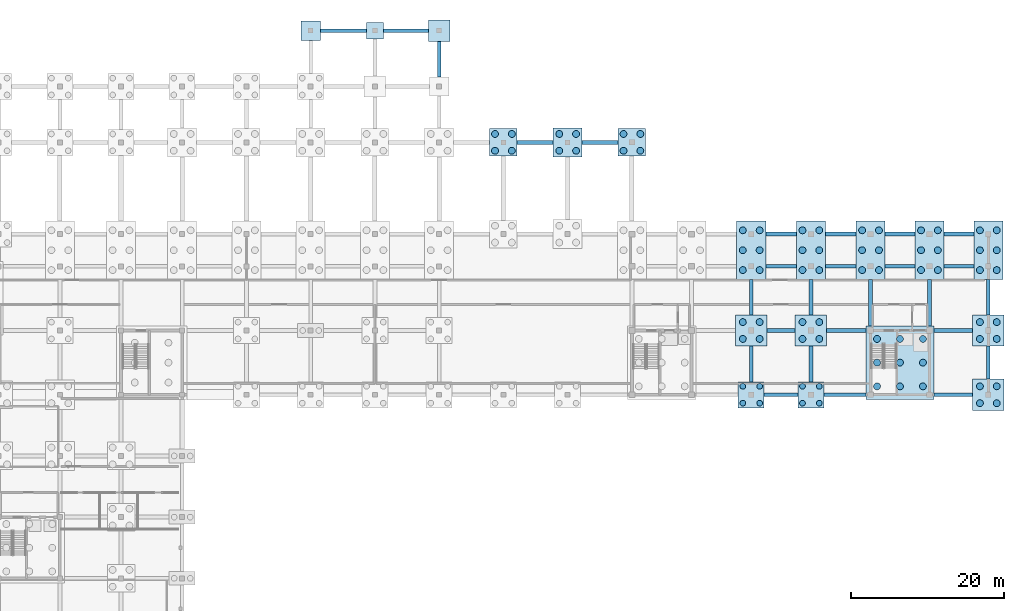
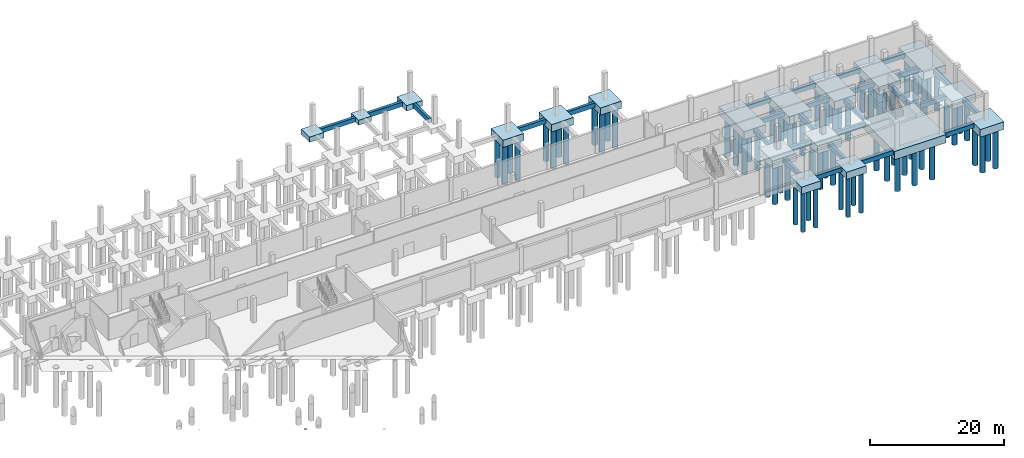
# One storey, part 8 of 22: 75 piles, 45 footings.
"""IFC4 building model written with IfcOpenShell, lengths in metres."""

from ifc_helpers import new_model, si_unit, direction, frame, origin, origin_2d, place, context, subcontext, project, spatial, polyline, rectangle, circle, outline, extrude, material, material_profile, profile_set, type_object, element, save


model = new_model("IFC4")

# Units and contexts
model_context = context("Model", 3, precision=1e-05, world=origin(), true_north=direction((0.0, 1.0)))
body_context = subcontext(model_context, "Body", "Model", "MODEL_VIEW")
ifc_project = project(units=[si_unit("LENGTHUNIT", "METRE"), si_unit("AREAUNIT", "SQUARE_METRE"), si_unit("VOLUMEUNIT", "CUBIC_METRE"), si_unit("PLANEANGLEUNIT", "RADIAN"), si_unit("MASSUNIT", "GRAM", prefix="KILO")], contexts=[model_context])

# Site, building, storey
site_placement = place(None, origin())
site = spatial("IfcSite", under=ifc_project, at=site_placement, CompositionType="ELEMENT")
building_placement = place(site_placement, origin())
building = spatial("IfcBuilding", under=site, at=building_placement, Name="Vharandega Faculty of Natural Sciences", CompositionType="ELEMENT")
storey_placement = place(building_placement, frame((0.0, 0.0, -4.5)))
storey = spatial("IfcBuildingStorey", under=building, at=storey_placement, Name="B01", CompositionType="ELEMENT", Elevation=-4.5)

# Piles
ifc_material_1 = material(Name="Concrete C35/45", Category="concrete")
ifc_material_profile_1 = material_profile(ifc_material_1, circle(Radius=0.375, at=origin_2d()), Name="PILE 750")
ifc_profile_set_1 = profile_set([ifc_material_profile_1], Name="Concrete C35/45")
pile_type_1 = type_object("IfcPileType", Name="Bored Pile 750", PredefinedType="BORED", material=ifc_profile_set_1)
for number, where, z_axis, x_axis, name in (
    (1, (129.300048828125, 62.89990234375, -1.64990234375), (0.0, 0.0, -1.0), (1.0, 0.0, 0.0), "Bored Pile PL-17J-01"),
    (2, (131.5, 62.89990234375, -1.64990234375), (0.0, 0.0, -1.0), (1.0, 0.0, 0.0), "Bored Pile PL-17J-02"),
    (3, (131.5, 65.10009765625, -1.64990234375), (0.0, 0.0, -1.0), (1.0, 0.0, 0.0), "Bored Pile PL-17J-03"),
    (4, (129.300048828125, 65.10009765625, -1.64990234375), (0.0, 0.0, -1.0), (1.0, 0.0, 0.0), "Bored Pile PL-17J-04"),
    (5, (137.10009765625, 62.89990234375, -1.64990234375), (0.0, 0.0, -1.0), (1.0, 0.0, 0.0), "Bored Pile PL-18J-01"),
    (6, (139.300048828125, 62.89990234375, -1.64990234375), (0.0, 0.0, -1.0), (1.0, 0.0, 0.0), "Bored Pile PL-18J-02"),
    (7, (139.300048828125, 65.10009765625, -1.64990234375), (0.0, 0.0, -1.0), (1.0, 0.0, 0.0), "Bored Pile PL-18J-03"),
    (8, (137.10009765625, 65.10009765625, -1.64990234375), (0.0, 0.0, -1.0), (1.0, 0.0, 0.0), "Bored Pile PL-18J-04"),
):
    element("IfcPile", number, at=place(storey_placement, frame(where, z_axis=z_axis, x_axis=x_axis)), inside=storey, type_object=pile_type_1, Name=name, PredefinedType="BORED", context=body_context, shape_type="SweptSolid", body=[
        extrude(circle(Radius=0.375, at=origin_2d()), origin(), (0.0, 0.0, 1.0), 7.35009765625),
    ])
ifc_material_2 = material(Name="Concrete C35/45", Category="concrete")
ifc_material_profile_2 = material_profile(ifc_material_2, circle(Radius=0.449951171875, at=origin_2d()), Name="PILE 900")
ifc_profile_set_2 = profile_set([ifc_material_profile_2], Name="Concrete C35/45")
pile_type_2 = type_object("IfcPileType", Name="Bored Pile 900", PredefinedType="BORED", material=ifc_profile_set_2)
for number, where, z_axis, x_axis, name in (
    (9, (146.85009765625, 65.10009765625, -1.85009765625), (0.0, 0.0, -1.0), (1.0, 0.0, 0.0), "Bored Pile PL-C2-01"),
    (10, (146.85009765625, 68.199951171875, -1.85009765625), (0.0, 0.0, -1.0), (1.0, 0.0, 0.0), "Bored Pile PL-C2-02"),
    (11, (146.85009765625, 71.300048828125, -1.85009765625), (0.0, 0.0, -1.0), (1.0, 0.0, 0.0), "Bored Pile PL-C2-03"),
    (12, (149.85009765625, 65.10009765625, -1.85009765625), (0.0, 0.0, -1.0), (1.0, 0.0, 0.0), "Bored Pile PL-C2-04"),
    (13, (149.85009765625, 68.199951171875, -1.85009765625), (0.0, 0.0, -1.0), (1.0, 0.0, 0.0), "Bored Pile PL-C2-05"),
    (14, (149.85009765625, 71.300048828125, -1.85009765625), (0.0, 0.0, -1.0), (1.0, 0.0, 0.0), "Bored Pile PL-C2-06"),
    (15, (152.85009765625, 65.10009765625, -1.85009765625), (0.0, 0.0, -1.0), (1.0, 0.0, 0.0), "Bored Pile PL-C2-07"),
    (16, (152.85009765625, 68.199951171875, -1.85009765625), (0.0, 0.0, -1.0), (1.0, 0.0, 0.0), "Bored Pile PL-C2-08"),
    (17, (152.85009765625, 71.300048828125, -1.85009765625), (0.0, 0.0, -1.0), (1.0, 0.0, 0.0), "Bored Pile PL-C2-09"),
):
    element("IfcPile", number, at=place(storey_placement, frame(where, z_axis=z_axis, x_axis=x_axis)), inside=storey, type_object=pile_type_2, Name=name, PredefinedType="BORED", context=body_context, shape_type="SweptSolid", body=[
        extrude(circle(Radius=0.449951171875, at=origin_2d()), origin(), (0.0, 0.0, 1.0), 7.14990234375),
    ])
for number, where, z_axis, x_axis, name in (
    (18, (129.300048828125, 80.300048828125, -1.800048828125), (0.0, 0.0, -1.0), (1.0, 0.0, 0.0), "Bored Pile PL-17LM-01"),
    (19, (129.300048828125, 82.89990234375, -1.800048828125), (0.0, 0.0, -1.0), (1.0, 0.0, 0.0), "Bored Pile PL-17LM-02"),
    (20, (129.300048828125, 85.5, -1.800048828125), (0.0, 0.0, -1.0), (1.0, 0.0, 0.0), "Bored Pile PL-17LM-03"),
    (21, (131.5, 80.300048828125, -1.800048828125), (0.0, 0.0, -1.0), (1.0, 0.0, 0.0), "Bored Pile PL-17LM-04"),
    (22, (131.5, 82.89990234375, -1.800048828125), (0.0, 0.0, -1.0), (1.0, 0.0, 0.0), "Bored Pile PL-17LM-05"),
    (23, (131.5, 85.5, -1.800048828125), (0.0, 0.0, -1.0), (1.0, 0.0, 0.0), "Bored Pile PL-17LM-06"),
    (24, (137.10009765625, 80.300048828125, -1.800048828125), (0.0, 0.0, -1.0), (1.0, 0.0, 0.0), "Bored Pile PL-18LM-01"),
    (25, (137.10009765625, 82.89990234375, -1.800048828125), (0.0, 0.0, -1.0), (1.0, 0.0, 0.0), "Bored Pile PL-18LM-02"),
    (26, (137.10009765625, 85.5, -1.800048828125), (0.0, 0.0, -1.0), (1.0, 0.0, 0.0), "Bored Pile PL-18LM-03"),
    (27, (139.300048828125, 80.300048828125, -1.800048828125), (0.0, 0.0, -1.0), (1.0, 0.0, 0.0), "Bored Pile PL-18LM-04"),
    (28, (139.300048828125, 82.89990234375, -1.800048828125), (0.0, 0.0, -1.0), (1.0, 0.0, 0.0), "Bored Pile PL-18LM-05"),
    (29, (139.300048828125, 85.5, -1.800048828125), (0.0, 0.0, -1.0), (1.0, 0.0, 0.0), "Bored Pile PL-18LM-06"),
    (30, (144.89990234375, 80.300048828125, -1.800048828125), (0.0, 0.0, -1.0), (1.0, 0.0, 0.0), "Bored Pile PL-19LM-01"),
    (31, (144.89990234375, 82.89990234375, -1.800048828125), (0.0, 0.0, -1.0), (1.0, 0.0, 0.0), "Bored Pile PL-19LM-02"),
    (32, (144.89990234375, 85.5, -1.800048828125), (0.0, 0.0, -1.0), (1.0, 0.0, 0.0), "Bored Pile PL-19LM-03"),
    (33, (147.10009765625, 80.300048828125, -1.800048828125), (0.0, 0.0, -1.0), (1.0, 0.0, 0.0), "Bored Pile PL-19LM-04"),
    (34, (147.10009765625, 82.89990234375, -1.800048828125), (0.0, 0.0, -1.0), (1.0, 0.0, 0.0), "Bored Pile PL-19LM-05"),
    (35, (147.10009765625, 85.5, -1.800048828125), (0.0, 0.0, -1.0), (1.0, 0.0, 0.0), "Bored Pile PL-19LM-06"),
    (36, (152.60009765625, 80.300048828125, -1.800048828125), (0.0, 0.0, -1.0), (1.0, 0.0, 0.0), "Bored Pile PL-20LM-01"),
    (37, (152.60009765625, 82.89990234375, -1.800048828125), (0.0, 0.0, -1.0), (1.0, 0.0, 0.0), "Bored Pile PL-20LM-02"),
    (38, (152.60009765625, 85.5, -1.800048828125), (0.0, 0.0, -1.0), (1.0, 0.0, 0.0), "Bored Pile PL-20LM-03"),
    (39, (154.800048828125, 80.300048828125, -1.800048828125), (0.0, 0.0, -1.0), (1.0, 0.0, 0.0), "Bored Pile PL-20LM-04"),
    (40, (154.800048828125, 82.89990234375, -1.800048828125), (0.0, 0.0, -1.0), (1.0, 0.0, 0.0), "Bored Pile PL-20LM-05"),
    (41, (154.800048828125, 85.5, -1.800048828125), (0.0, 0.0, -1.0), (1.0, 0.0, 0.0), "Bored Pile PL-20LM-06"),
    (42, (160.300048828125, 80.300048828125, -1.800048828125), (0.0, 0.0, -1.0), (1.0, 0.0, 0.0), "Bored Pile PL-21LM-01"),
    (43, (160.300048828125, 82.89990234375, -1.800048828125), (0.0, 0.0, -1.0), (1.0, 0.0, 0.0), "Bored Pile PL-21LM-02"),
    (44, (160.300048828125, 85.5, -1.800048828125), (0.0, 0.0, -1.0), (1.0, 0.0, 0.0), "Bored Pile PL-21LM-03"),
    (45, (162.5, 80.300048828125, -1.800048828125), (0.0, 0.0, -1.0), (1.0, 0.0, 0.0), "Bored Pile PL-21LM-04"),
    (46, (162.5, 82.89990234375, -1.800048828125), (0.0, 0.0, -1.0), (1.0, 0.0, 0.0), "Bored Pile PL-21LM-05"),
    (47, (162.5, 85.5, -1.800048828125), (0.0, 0.0, -1.0), (1.0, 0.0, 0.0), "Bored Pile PL-21LM-06"),
):
    element("IfcPile", number, at=place(storey_placement, frame(where, z_axis=z_axis, x_axis=x_axis)), inside=storey, type_object=pile_type_2, Name=name, PredefinedType="BORED", context=body_context, shape_type="SweptSolid", body=[
        extrude(circle(Radius=0.449951171875, at=origin_2d()), origin(), (0.0, 0.0, 1.0), 7.199951171875),
    ])
for number, where, z_axis, x_axis, name in (
    (48, (96.89990234375, 95.89990234375, -1.669921875), (0.0, 0.0, -1.0), (1.0, 0.0, 0.0), "Bored Pile PL-13N-01"),
    (49, (99.10009765625, 95.89990234375, -1.669921875), (0.0, 0.0, -1.0), (1.0, 0.0, 0.0), "Bored Pile PL-13N-02"),
    (50, (99.10009765625, 98.10009765625, -1.669921875), (0.0, 0.0, -1.0), (1.0, 0.0, 0.0), "Bored Pile PL-13N-03"),
    (51, (96.89990234375, 98.10009765625, -1.669921875), (0.0, 0.0, -1.0), (1.0, 0.0, 0.0), "Bored Pile PL-13N-04"),
):
    element("IfcPile", number, at=place(storey_placement, frame(where, z_axis=z_axis, x_axis=x_axis)), inside=storey, type_object=pile_type_2, Name=name, PredefinedType="BORED", context=body_context, shape_type="SweptSolid", body=[
        extrude(circle(Radius=0.449951171875, at=origin_2d()), origin(), (0.0, 0.0, 1.0), 7.330078125),
    ])
for number, where, z_axis, x_axis, name in (
    (52, (105.300048828125, 95.89990234375, -1.699951171875), (0.0, 0.0, -1.0), (1.0, 0.0, 0.0), "Bored Pile PL-14N-01"),
    (53, (107.5, 95.89990234375, -1.699951171875), (0.0, 0.0, -1.0), (1.0, 0.0, 0.0), "Bored Pile PL-14N-02"),
    (54, (107.5, 98.10009765625, -1.699951171875), (0.0, 0.0, -1.0), (1.0, 0.0, 0.0), "Bored Pile PL-14N-03"),
    (55, (105.300048828125, 98.10009765625, -1.699951171875), (0.0, 0.0, -1.0), (1.0, 0.0, 0.0), "Bored Pile PL-14N-04"),
):
    element("IfcPile", number, at=place(storey_placement, frame(where, z_axis=z_axis, x_axis=x_axis)), inside=storey, type_object=pile_type_2, Name=name, PredefinedType="BORED", context=body_context, shape_type="SweptSolid", body=[
        extrude(circle(Radius=0.449951171875, at=origin_2d()), origin(), (0.0, 0.0, 1.0), 7.300048828125),
    ])
for number, where, z_axis, x_axis, name in (
    (56, (113.699951171875, 95.89990234375, -1.669921875), (0.0, 0.0, -1.0), (1.0, 0.0, 0.0), "Bored Pile PL-15N-01"),
    (57, (115.89990234375, 95.89990234375, -1.669921875), (0.0, 0.0, -1.0), (1.0, 0.0, 0.0), "Bored Pile PL-15N-02"),
    (58, (115.89990234375, 98.10009765625, -1.669921875), (0.0, 0.0, -1.0), (1.0, 0.0, 0.0), "Bored Pile PL-15N-03"),
    (59, (113.699951171875, 98.10009765625, -1.669921875), (0.0, 0.0, -1.0), (1.0, 0.0, 0.0), "Bored Pile PL-15N-04"),
):
    element("IfcPile", number, at=place(storey_placement, frame(where, z_axis=z_axis, x_axis=x_axis)), inside=storey, type_object=pile_type_2, Name=name, PredefinedType="BORED", context=body_context, shape_type="SweptSolid", body=[
        extrude(circle(Radius=0.449951171875, at=origin_2d()), origin(), (0.0, 0.0, 1.0), 7.330078125),
    ])
for number, where, z_axis, x_axis, name in (
    (60, (129.300048828125, 71.300048828125, -1.75), (0.0, 0.0, -1.0), (1.0, 0.0, 0.0), "Bored Pile PL-17K-01"),
    (61, (131.5, 71.300048828125, -1.75), (0.0, 0.0, -1.0), (1.0, 0.0, 0.0), "Bored Pile PL-17K-02"),
    (62, (131.5, 73.5, -1.75), (0.0, 0.0, -1.0), (1.0, 0.0, 0.0), "Bored Pile PL-17K-03"),
    (63, (129.300048828125, 73.5, -1.75), (0.0, 0.0, -1.0), (1.0, 0.0, 0.0), "Bored Pile PL-17K-04"),
    (64, (137.10009765625, 71.300048828125, -1.75), (0.0, 0.0, -1.0), (1.0, 0.0, 0.0), "Bored Pile PL-18K-01"),
    (65, (139.300048828125, 71.300048828125, -1.75), (0.0, 0.0, -1.0), (1.0, 0.0, 0.0), "Bored Pile PL-18K-02"),
    (66, (139.300048828125, 73.5, -1.75), (0.0, 0.0, -1.0), (1.0, 0.0, 0.0), "Bored Pile PL-18K-03"),
    (67, (137.10009765625, 73.5, -1.75), (0.0, 0.0, -1.0), (1.0, 0.0, 0.0), "Bored Pile PL-18K-04"),
    (68, (160.300048828125, 62.89990234375, -1.75), (0.0, 0.0, -1.0), (1.0, 0.0, 0.0), "Bored Pile PL-21J-01"),
    (69, (162.5, 62.89990234375, -1.75), (0.0, 0.0, -1.0), (1.0, 0.0, 0.0), "Bored Pile PL-21J-02"),
    (70, (162.5, 65.10009765625, -1.75), (0.0, 0.0, -1.0), (1.0, 0.0, 0.0), "Bored Pile PL-21J-03"),
    (71, (160.300048828125, 65.10009765625, -1.75), (0.0, 0.0, -1.0), (1.0, 0.0, 0.0), "Bored Pile PL-21J-04"),
    (72, (160.300048828125, 71.300048828125, -1.75), (0.0, 0.0, -1.0), (1.0, 0.0, 0.0), "Bored Pile PL-21K-01"),
    (73, (162.5, 71.300048828125, -1.75), (0.0, 0.0, -1.0), (1.0, 0.0, 0.0), "Bored Pile PL-21K-02"),
    (74, (162.5, 73.5, -1.75), (0.0, 0.0, -1.0), (1.0, 0.0, 0.0), "Bored Pile PL-21K-03"),
    (75, (160.300048828125, 73.5, -1.75), (0.0, 0.0, -1.0), (1.0, 0.0, 0.0), "Bored Pile PL-21K-04"),
):
    element("IfcPile", number, at=place(storey_placement, frame(where, z_axis=z_axis, x_axis=x_axis)), inside=storey, type_object=pile_type_2, Name=name, PredefinedType="BORED", context=body_context, shape_type="SweptSolid", body=[
        extrude(circle(Radius=0.449951171875, at=origin_2d()), origin(), (0.0, 0.0, 1.0), 7.25),
    ])

# Footings
ifc_material_3 = material(Name="Concrete C35/45", Category="concrete")
footing_type_1 = type_object("IfcFootingType", Name="Ground Tie Beam 500x800", PredefinedType="FOOTING_BEAM", material=ifc_material_3)
footing_1_placement = place(storey_placement, frame((0.0, 0.0, -1.25)))
element("IfcFooting", 76, at=footing_1_placement, inside=storey, type_object=footing_type_1, Name="Substructure Tie FND-GB-X049", PredefinedType="FOOTING_BEAM", context=body_context, shape_type="SweptSolid", body=[
    extrude(outline(polyline([(132.10009765625, 63.75), (136.5, 63.75), (136.5, 64.25), (132.10009765625, 64.25), (132.10009765625, 63.75)])), origin(), (0.0, 0.0, 1.0), 0.800048828125),
])
footing_2_placement = place(storey_placement, frame((0.0, 0.0, -1.25)))
element("IfcFooting", 77, at=footing_2_placement, inside=storey, type_object=footing_type_1, Name="Substructure Tie FND-GB-X050", PredefinedType="FOOTING_BEAM", context=body_context, shape_type="SweptSolid", body=[
    extrude(outline(polyline([(139.89990234375, 63.75), (145.39990234375, 63.75), (145.39990234375, 64.25), (139.89990234375, 64.25), (139.89990234375, 63.75)])), origin(), (0.0, 0.0, 1.0), 0.800048828125),
])
footing_3_placement = place(storey_placement, frame((0.0, 0.0, -1.25)))
element("IfcFooting", 78, at=footing_3_placement, inside=storey, type_object=footing_type_1, Name="Substructure Tie FND-GB-X051", PredefinedType="FOOTING_BEAM", context=body_context, shape_type="SweptSolid", body=[
    extrude(outline(polyline([(154.300048828125, 63.75), (159.35009765625, 63.75), (159.35009765625, 64.25), (154.300048828125, 64.25), (154.300048828125, 63.75)])), origin(), (0.0, 0.0, 1.0), 0.800048828125),
])
footing_4_placement = place(storey_placement, frame((0.0, 0.0, -1.25)))
element("IfcFooting", 79, at=footing_4_placement, inside=storey, type_object=footing_type_1, Name="Substructure Tie FND-GB-X061", PredefinedType="FOOTING_BEAM", context=body_context, shape_type="SweptSolid", body=[
    extrude(outline(polyline([(132.449951171875, 72.14990234375), (136.14990234375, 72.14990234375), (136.14990234375, 72.64990234375), (132.449951171875, 72.64990234375), (132.449951171875, 72.14990234375)])), origin(), (0.0, 0.0, 1.0), 0.800048828125),
])
footing_5_placement = place(storey_placement, frame((0.0, 0.0, -1.25)))
element("IfcFooting", 80, at=footing_5_placement, inside=storey, type_object=footing_type_1, Name="Substructure Tie FND-GB-X062", PredefinedType="FOOTING_BEAM", context=body_context, shape_type="SweptSolid", body=[
    extrude(outline(polyline([(140.25, 72.14990234375), (145.39990234375, 72.14990234375), (145.39990234375, 72.64990234375), (140.25, 72.64990234375), (140.25, 72.14990234375)])), origin(), (0.0, 0.0, 1.0), 0.800048828125),
])
footing_6_placement = place(storey_placement, frame((0.0, 0.0, -1.25)))
element("IfcFooting", 81, at=footing_6_placement, inside=storey, type_object=footing_type_1, Name="Substructure Tie FND-GB-X063", PredefinedType="FOOTING_BEAM", context=body_context, shape_type="SweptSolid", body=[
    extrude(outline(polyline([(154.300048828125, 72.14990234375), (159.35009765625, 72.14990234375), (159.35009765625, 72.64990234375), (154.300048828125, 72.64990234375), (154.300048828125, 72.14990234375)])), origin(), (0.0, 0.0, 1.0), 0.800048828125),
])
footing_7_placement = place(storey_placement, frame((0.0, 0.0, -1.25)))
element("IfcFooting", 82, at=footing_7_placement, inside=storey, type_object=footing_type_1, Name="Substructure Tie FND-GB-X075", PredefinedType="FOOTING_BEAM", context=body_context, shape_type="SweptSolid", body=[
    extrude(outline(polyline([(132.300048828125, 80.550048828125), (136.300048828125, 80.550048828125), (136.300048828125, 81.050048828125), (132.300048828125, 81.050048828125), (132.300048828125, 80.550048828125)])), origin(), (0.0, 0.0, 1.0), 0.800048828125),
])
footing_8_placement = place(storey_placement, frame((0.0, 0.0, -1.25)))
element("IfcFooting", 83, at=footing_8_placement, inside=storey, type_object=footing_type_1, Name="Substructure Tie FND-GB-X076", PredefinedType="FOOTING_BEAM", context=body_context, shape_type="SweptSolid", body=[
    extrude(outline(polyline([(140.10009765625, 80.550048828125), (144.10009765625, 80.550048828125), (144.10009765625, 81.050048828125), (140.10009765625, 81.050048828125), (140.10009765625, 80.550048828125)])), origin(), (0.0, 0.0, 1.0), 0.800048828125),
])
footing_9_placement = place(storey_placement, frame((0.0, 0.0, -1.25)))
element("IfcFooting", 84, at=footing_9_placement, inside=storey, type_object=footing_type_1, Name="Substructure Tie FND-GB-X077", PredefinedType="FOOTING_BEAM", context=body_context, shape_type="SweptSolid", body=[
    extrude(outline(polyline([(147.89990234375, 80.550048828125), (151.800048828125, 80.550048828125), (151.800048828125, 81.050048828125), (147.89990234375, 81.050048828125), (147.89990234375, 80.550048828125)])), origin(), (0.0, 0.0, 1.0), 0.800048828125),
])
footing_10_placement = place(storey_placement, frame((0.0, 0.0, -1.25)))
element("IfcFooting", 85, at=footing_10_placement, inside=storey, type_object=footing_type_1, Name="Substructure Tie FND-GB-X078", PredefinedType="FOOTING_BEAM", context=body_context, shape_type="SweptSolid", body=[
    extrude(outline(polyline([(155.60009765625, 80.550048828125), (159.5, 80.550048828125), (159.5, 81.050048828125), (155.60009765625, 81.050048828125), (155.60009765625, 80.550048828125)])), origin(), (0.0, 0.0, 1.0), 0.800048828125),
])
footing_11_placement = place(storey_placement, frame((0.0, 0.0, -1.25)))
element("IfcFooting", 86, at=footing_11_placement, inside=storey, type_object=footing_type_1, Name="Substructure Tie FND-GB-X095", PredefinedType="FOOTING_BEAM", context=body_context, shape_type="SweptSolid", body=[
    extrude(outline(polyline([(132.300048828125, 84.75), (136.300048828125, 84.75), (136.300048828125, 85.25), (132.300048828125, 85.25), (132.300048828125, 84.75)])), origin(), (0.0, 0.0, 1.0), 0.800048828125),
])
footing_12_placement = place(storey_placement, frame((0.0, 0.0, -1.25)))
element("IfcFooting", 87, at=footing_12_placement, inside=storey, type_object=footing_type_1, Name="Substructure Tie FND-GB-X096", PredefinedType="FOOTING_BEAM", context=body_context, shape_type="SweptSolid", body=[
    extrude(outline(polyline([(140.10009765625, 84.75), (144.10009765625, 84.75), (144.10009765625, 85.25), (140.10009765625, 85.25), (140.10009765625, 84.75)])), origin(), (0.0, 0.0, 1.0), 0.800048828125),
])
footing_13_placement = place(storey_placement, frame((0.0, 0.0, -1.25)))
element("IfcFooting", 88, at=footing_13_placement, inside=storey, type_object=footing_type_1, Name="Substructure Tie FND-GB-X097", PredefinedType="FOOTING_BEAM", context=body_context, shape_type="SweptSolid", body=[
    extrude(outline(polyline([(147.89990234375, 84.75), (151.800048828125, 84.75), (151.800048828125, 85.25), (147.89990234375, 85.25), (147.89990234375, 84.75)])), origin(), (0.0, 0.0, 1.0), 0.800048828125),
])
footing_14_placement = place(storey_placement, frame((0.0, 0.0, -1.25)))
element("IfcFooting", 89, at=footing_14_placement, inside=storey, type_object=footing_type_1, Name="Substructure Tie FND-GB-X098", PredefinedType="FOOTING_BEAM", context=body_context, shape_type="SweptSolid", body=[
    extrude(outline(polyline([(155.60009765625, 84.75), (159.5, 84.75), (159.5, 85.25), (155.60009765625, 85.25), (155.60009765625, 84.75)])), origin(), (0.0, 0.0, 1.0), 0.800048828125),
])
footing_15_placement = place(storey_placement, frame((0.0, 0.0, -1.25)))
element("IfcFooting", 90, at=footing_15_placement, inside=storey, type_object=footing_type_1, Name="Substructure Tie FND-GB-X111", PredefinedType="FOOTING_BEAM", context=body_context, shape_type="SweptSolid", body=[
    extrude(outline(polyline([(99.800048828125, 96.75), (104.5, 96.75), (104.5, 97.25), (99.800048828125, 97.25), (99.800048828125, 96.75)])), origin(), (0.0, 0.0, 1.0), 0.800048828125),
])
footing_16_placement = place(storey_placement, frame((0.0, 0.0, -1.25)))
element("IfcFooting", 91, at=footing_16_placement, inside=storey, type_object=footing_type_1, Name="Substructure Tie FND-GB-X112", PredefinedType="FOOTING_BEAM", context=body_context, shape_type="SweptSolid", body=[
    extrude(outline(polyline([(108.300048828125, 96.75), (113.0, 96.75), (113.0, 97.25), (108.300048828125, 97.25), (108.300048828125, 96.75)])), origin(), (0.0, 0.0, 1.0), 0.800048828125),
])
footing_17_placement = place(storey_placement, frame((0.0, 0.0, -1.25)))
element("IfcFooting", 92, at=footing_17_placement, inside=storey, type_object=footing_type_1, Name="Substructure Tie FND-GB-X124", PredefinedType="FOOTING_BEAM", context=body_context, shape_type="SweptSolid", body=[
    extrude(outline(polyline([(74.050048828125, 111.35009765625), (80.10009765625, 111.35009765625), (80.10009765625, 111.85009765625), (74.050048828125, 111.85009765625), (74.050048828125, 111.35009765625)])), origin(), (0.0, 0.0, 1.0), 0.800048828125),
])
footing_18_placement = place(storey_placement, frame((0.0, 0.0, -1.25)))
element("IfcFooting", 93, at=footing_18_placement, inside=storey, type_object=footing_type_1, Name="Substructure Tie FND-GB-X125", PredefinedType="FOOTING_BEAM", context=body_context, shape_type="SweptSolid", body=[
    extrude(outline(polyline([(82.300048828125, 111.35009765625), (88.199951171875, 111.35009765625), (88.199951171875, 111.85009765625), (82.300048828125, 111.85009765625), (82.300048828125, 111.35009765625)])), origin(), (0.0, 0.0, 1.0), 0.800048828125),
])
footing_19_placement = place(storey_placement, frame((0.0, 0.0, -1.25)))
element("IfcFooting", 94, at=footing_19_placement, inside=storey, type_object=footing_type_1, Name="Substructure Tie FND-GB-Y236", PredefinedType="FOOTING_BEAM", context=body_context, shape_type="SweptSolid", body=[
    extrude(outline(polyline([(89.35009765625, 105.550048828125), (89.85009765625, 105.550048828125), (89.85009765625, 110.199951171875), (89.35009765625, 110.199951171875), (89.35009765625, 105.550048828125)])), origin(), (0.0, 0.0, 1.0), 0.800048828125),
])
footing_20_placement = place(storey_placement, frame((0.0, 0.0, -1.25)))
element("IfcFooting", 95, at=footing_20_placement, inside=storey, type_object=footing_type_1, Name="Substructure Tie FND-GB-Y242", PredefinedType="FOOTING_BEAM", context=body_context, shape_type="SweptSolid", body=[
    extrude(outline(polyline([(130.14990234375, 65.699951171875), (130.64990234375, 65.699951171875), (130.64990234375, 70.35009765625), (130.14990234375, 70.35009765625), (130.14990234375, 65.699951171875)])), origin(), (0.0, 0.0, 1.0), 0.800048828125),
])
footing_21_placement = place(storey_placement, frame((0.0, 0.0, -1.25)))
element("IfcFooting", 96, at=footing_21_placement, inside=storey, type_object=footing_type_1, Name="Substructure Tie FND-GB-Y243", PredefinedType="FOOTING_BEAM", context=body_context, shape_type="SweptSolid", body=[
    extrude(outline(polyline([(130.14990234375, 74.449951171875), (130.64990234375, 74.449951171875), (130.64990234375, 79.10009765625), (130.14990234375, 79.10009765625), (130.14990234375, 74.449951171875)])), origin(), (0.0, 0.0, 1.0), 0.800048828125),
])
footing_22_placement = place(storey_placement, frame((0.0, 0.0, -1.25)))
element("IfcFooting", 97, at=footing_22_placement, inside=storey, type_object=footing_type_1, Name="Substructure Tie FND-GB-Y244", PredefinedType="FOOTING_BEAM", context=body_context, shape_type="SweptSolid", body=[
    extrude(outline(polyline([(137.949951171875, 65.699951171875), (138.449951171875, 65.699951171875), (138.449951171875, 70.35009765625), (137.949951171875, 70.35009765625), (137.949951171875, 65.699951171875)])), origin(), (0.0, 0.0, 1.0), 0.800048828125),
])
footing_23_placement = place(storey_placement, frame((0.0, 0.0, -1.25)))
element("IfcFooting", 98, at=footing_23_placement, inside=storey, type_object=footing_type_1, Name="Substructure Tie FND-GB-Y245", PredefinedType="FOOTING_BEAM", context=body_context, shape_type="SweptSolid", body=[
    extrude(outline(polyline([(137.949951171875, 74.449951171875), (138.449951171875, 74.449951171875), (138.449951171875, 79.10009765625), (137.949951171875, 79.10009765625), (137.949951171875, 74.449951171875)])), origin(), (0.0, 0.0, 1.0), 0.800048828125),
])
footing_24_placement = place(storey_placement, frame((0.0, 0.0, -1.25)))
element("IfcFooting", 99, at=footing_24_placement, inside=storey, type_object=footing_type_1, Name="Substructure Tie FND-GB-Y246", PredefinedType="FOOTING_BEAM", context=body_context, shape_type="SweptSolid", body=[
    extrude(outline(polyline([(145.75, 73.0), (146.25, 73.0), (146.25, 79.10009765625), (145.75, 79.10009765625), (145.75, 73.0)])), origin(), (0.0, 0.0, 1.0), 0.800048828125),
])
footing_25_placement = place(storey_placement, frame((0.0, 0.0, -1.25)))
element("IfcFooting", 100, at=footing_25_placement, inside=storey, type_object=footing_type_1, Name="Substructure Tie FND-GB-Y247", PredefinedType="FOOTING_BEAM", context=body_context, shape_type="SweptSolid", body=[
    extrude(outline(polyline([(153.449951171875, 73.0), (153.949951171875, 73.0), (153.949951171875, 79.10009765625), (153.449951171875, 79.10009765625), (153.449951171875, 73.0)])), origin(), (0.0, 0.0, 1.0), 0.800048828125),
])
footing_26_placement = place(storey_placement, frame((0.0, 0.0, -1.25)))
element("IfcFooting", 101, at=footing_26_placement, inside=storey, type_object=footing_type_1, Name="Substructure Tie FND-GB-Y248", PredefinedType="FOOTING_BEAM", context=body_context, shape_type="SweptSolid", body=[
    extrude(outline(polyline([(161.14990234375, 66.050048828125), (161.64990234375, 66.050048828125), (161.64990234375, 70.35009765625), (161.14990234375, 70.35009765625), (161.14990234375, 66.050048828125)])), origin(), (0.0, 0.0, 1.0), 0.800048828125),
])
footing_27_placement = place(storey_placement, frame((0.0, 0.0, -1.25)))
element("IfcFooting", 102, at=footing_27_placement, inside=storey, type_object=footing_type_1, Name="Substructure Tie FND-GB-Y249", PredefinedType="FOOTING_BEAM", context=body_context, shape_type="SweptSolid", body=[
    extrude(outline(polyline([(161.14990234375, 74.449951171875), (161.64990234375, 74.449951171875), (161.64990234375, 79.10009765625), (161.14990234375, 79.10009765625), (161.14990234375, 74.449951171875)])), origin(), (0.0, 0.0, 1.0), 0.800048828125),
])
ifc_material_4 = material(Name="Concrete C35/45", Category="concrete")
footing_type_2 = type_object("IfcFootingType", Name="Pad Footing 2200x2200x900", PredefinedType="PAD_FOOTING", material=ifc_material_4)
footing_28_placement = place(storey_placement, frame((81.199951171875, 111.60009765625, -1.349853515625), z_axis=(0.0, 0.0, 1.0), x_axis=(1.0, 0.0, 0.0)))
element("IfcFooting", 103, at=footing_28_placement, inside=storey, type_object=footing_type_2, Name="Pad Footing 11/Q", PredefinedType="PAD_FOOTING", context=body_context, shape_type="SweptSolid", body=[
    extrude(rectangle(XDim=2.199951171875, YDim=2.199951171875, at=origin_2d()), origin(), (0.0, 0.0, 1.0), 0.89990234375),
])
ifc_material_5 = material(Name="Concrete C35/45", Category="concrete")
footing_type_3 = type_object("IfcFootingType", Name="Pad Footing 2500x2500x950", PredefinedType="PAD_FOOTING", material=ifc_material_5)
footing_29_placement = place(storey_placement, frame((72.800048828125, 111.60009765625, -1.39990234375), z_axis=(0.0, 0.0, 1.0), x_axis=(1.0, 0.0, 0.0)))
element("IfcFooting", 104, at=footing_29_placement, inside=storey, type_object=footing_type_3, Name="Pad Footing 10/Q", PredefinedType="PAD_FOOTING", context=body_context, shape_type="SweptSolid", body=[
    extrude(rectangle(XDim=2.5, YDim=2.5, at=origin_2d()), origin(), (0.0, 0.0, 1.0), 0.949951171875),
])
ifc_material_6 = material(Name="Concrete C35/45", Category="concrete")
footing_type_4 = type_object("IfcFootingType", Name="Pad Footing 2800x2800x1000", PredefinedType="PAD_FOOTING", material=ifc_material_6)
footing_30_placement = place(storey_placement, frame((89.60009765625, 111.60009765625, -1.449951171875), z_axis=(0.0, 0.0, 1.0), x_axis=(1.0, 0.0, 0.0)))
element("IfcFooting", 105, at=footing_30_placement, inside=storey, type_object=footing_type_4, Name="Pad Footing 12/Q", PredefinedType="PAD_FOOTING", context=body_context, shape_type="SweptSolid", body=[
    extrude(rectangle(XDim=2.800048828125, YDim=2.800048828125, at=origin_2d()), origin(), (0.0, 0.0, 1.0), 1.0),
])
ifc_material_7 = material(Name="Concrete C35/45", Category="concrete")
footing_type_5 = type_object("IfcFootingType", Name="Pile Cap 4P 3400x3400x1300", PredefinedType="PILE_CAP", material=ifc_material_7)
for number, where, z_axis, x_axis, name in (
    (106, (130.39990234375, 64.0, -1.75), (0.0, 0.0, 1.0), (1.0, 0.0, 0.0), "Pile Cap 17/J"),
    (107, (138.199951171875, 64.0, -1.75), (0.0, 0.0, 1.0), (1.0, 0.0, 0.0), "Pile Cap 18/J"),
):
    element("IfcFooting", number, at=place(storey_placement, frame(where, z_axis=z_axis, x_axis=x_axis)), inside=storey, type_object=footing_type_5, Name=name, PredefinedType="PILE_CAP", context=body_context, shape_type="SweptSolid", body=[
        extrude(rectangle(XDim=3.39990234375, YDim=3.39990234375, at=origin_2d()), origin(), (0.0, 0.0, 1.0), 1.300048828125),
    ])
ifc_material_8 = material(Name="Concrete C35/45", Category="concrete")
footing_type_6 = type_object("IfcFootingType", Name="Pile Cap 4P 3600x3600x1320", PredefinedType="PILE_CAP", material=ifc_material_8)
for number, where, z_axis, x_axis, name in (
    (108, (98.0, 97.0, -1.77001953125), (0.0, 0.0, 1.0), (1.0, 0.0, 0.0), "Pile Cap 13/N"),
    (109, (114.800048828125, 97.0, -1.77001953125), (0.0, 0.0, 1.0), (1.0, 0.0, 0.0), "Pile Cap 15/N"),
):
    element("IfcFooting", number, at=place(storey_placement, frame(where, z_axis=z_axis, x_axis=x_axis)), inside=storey, type_object=footing_type_6, Name=name, PredefinedType="PILE_CAP", context=body_context, shape_type="SweptSolid", body=[
        extrude(rectangle(XDim=3.60009765625, YDim=3.60009765625, at=origin_2d()), origin(), (0.0, 0.0, 1.0), 1.320068359375),
    ])
ifc_material_9 = material(Name="Concrete C35/45", Category="concrete")
footing_type_7 = type_object("IfcFootingType", Name="Pile Cap 4P 3800x3800x1350", PredefinedType="PILE_CAP", material=ifc_material_9)
footing_31_placement = place(storey_placement, frame((106.39990234375, 97.0, -1.800048828125), z_axis=(0.0, 0.0, 1.0), x_axis=(1.0, 0.0, 0.0)))
element("IfcFooting", 110, at=footing_31_placement, inside=storey, type_object=footing_type_7, Name="Pile Cap 14/N", PredefinedType="PILE_CAP", context=body_context, shape_type="SweptSolid", body=[
    extrude(rectangle(XDim=3.800048828125, YDim=3.800048828125, at=origin_2d()), origin(), (0.0, 0.0, 1.0), 1.35009765625),
])
ifc_material_10 = material(Name="Concrete C35/45", Category="concrete")
footing_type_8 = type_object("IfcFootingType", Name="Pile Cap 4P 4100x4100x1400", PredefinedType="PILE_CAP", material=ifc_material_10)
for number, where, z_axis, x_axis, name in (
    (111, (130.39990234375, 72.39990234375, -1.849853515625), (0.0, 0.0, 1.0), (1.0, 0.0, 0.0), "Pile Cap 17/K"),
    (112, (138.199951171875, 72.39990234375, -1.849853515625), (0.0, 0.0, 1.0), (1.0, 0.0, 0.0), "Pile Cap 18/K"),
    (113, (161.39990234375, 64.0, -1.849853515625), (0.0, 0.0, 1.0), (1.0, 0.0, 0.0), "Pile Cap 21/J"),
    (114, (161.39990234375, 72.39990234375, -1.849853515625), (0.0, 0.0, 1.0), (1.0, 0.0, 0.0), "Pile Cap 21/K"),
):
    element("IfcFooting", number, at=place(storey_placement, frame(where, z_axis=z_axis, x_axis=x_axis)), inside=storey, type_object=footing_type_8, Name=name, PredefinedType="PILE_CAP", context=body_context, shape_type="SweptSolid", body=[
        extrude(rectangle(XDim=4.10009765625, YDim=4.10009765625, at=origin_2d()), origin(), (0.0, 0.0, 1.0), 1.39990234375),
    ])
ifc_material_11 = material(Name="Concrete C35/45", Category="concrete")
footing_type_9 = type_object("IfcFootingType", Name="Pile Cap 6P Combined 3800x7600x1450", PredefinedType="PILE_CAP", material=ifc_material_11)
for number, where, z_axis, x_axis, name in (
    (115, (130.39990234375, 82.89990234375, -1.89990234375), (0.0, 0.0, 1.0), (1.0, 0.0, 0.0), "Combined Pile Cap 17/L-M"),
    (116, (138.199951171875, 82.89990234375, -1.89990234375), (0.0, 0.0, 1.0), (1.0, 0.0, 0.0), "Combined Pile Cap 18/L-M"),
    (117, (146.0, 82.89990234375, -1.89990234375), (0.0, 0.0, 1.0), (1.0, 0.0, 0.0), "Combined Pile Cap 19/L-M"),
    (118, (153.699951171875, 82.89990234375, -1.89990234375), (0.0, 0.0, 1.0), (1.0, 0.0, 0.0), "Combined Pile Cap 20/L-M"),
    (119, (161.39990234375, 82.89990234375, -1.89990234375), (0.0, 0.0, 1.0), (1.0, 0.0, 0.0), "Combined Pile Cap 21/L-M"),
):
    element("IfcFooting", number, at=place(storey_placement, frame(where, z_axis=z_axis, x_axis=x_axis)), inside=storey, type_object=footing_type_9, Name=name, PredefinedType="PILE_CAP", context=body_context, shape_type="SweptSolid", body=[
        extrude(rectangle(XDim=3.800048828125, YDim=7.60009765625, at=origin_2d()), origin(), (0.0, 0.0, 1.0), 1.449951171875),
    ])
ifc_material_12 = material(Name="Concrete C35/45", Category="concrete")
footing_type_10 = type_object("IfcFootingType", Name="Pile Cap 9P Core C2 8900x9600x1500", PredefinedType="PILE_CAP", material=ifc_material_12)
footing_32_placement = place(storey_placement, frame((149.85009765625, 68.199951171875, -1.949951171875), z_axis=(0.0, 0.0, 1.0), x_axis=(1.0, 0.0, 0.0)))
element("IfcFooting", 120, at=footing_32_placement, inside=storey, type_object=footing_type_10, Name="Core Pile Cap C2", PredefinedType="PILE_CAP", context=body_context, shape_type="SweptSolid", body=[
    extrude(rectangle(XDim=8.89990234375, YDim=9.60009765625, at=origin_2d()), origin(), (0.0, 0.0, 1.0), 1.5),
])

save(model, "model.ifc")
